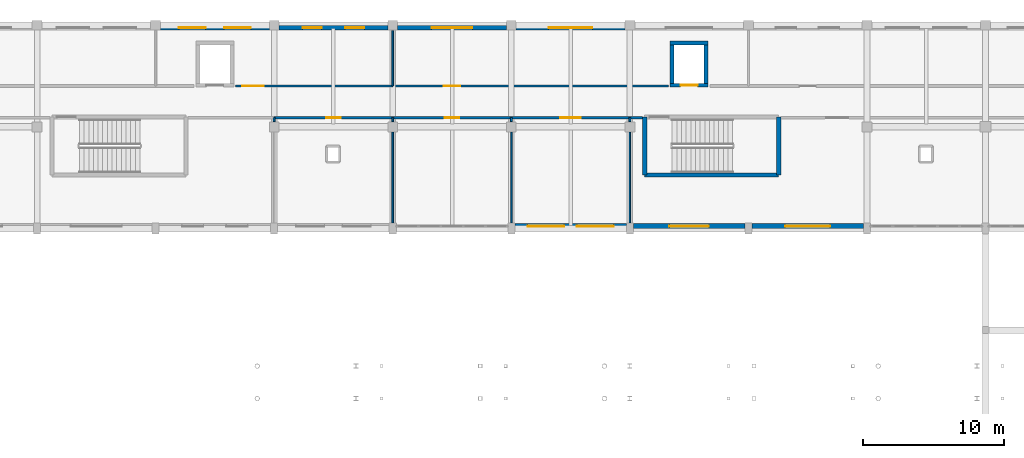
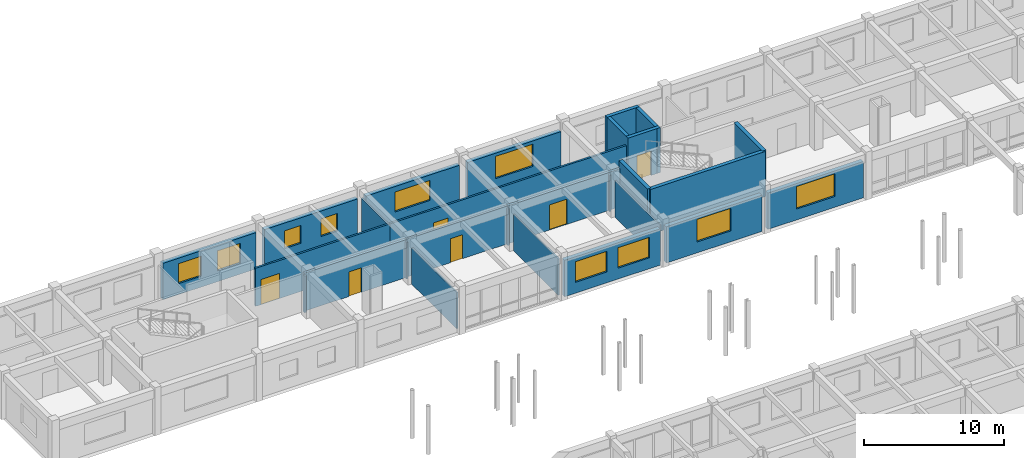
# One storey, part 75 of 90: 28 walls, 10 windows, 6 doors, 16 openings.
"""IFC4 building model written with IfcOpenShell, lengths in metres."""

import ifcopenshell
import ifcopenshell.guid

model = None  # the IFC model being written
_history = None  # IfcOwnerHistory: only IFC2X3 demands one
_inside = {}  # id of a spatial element -> (the spatial element, [elements in it])
_under = {}  # id of a project, library or spatial element -> (it, [spatial elements below it])
_declared = {}  # id of a project -> (the project, [libraries it declares])
_typed = {}  # id of a type object -> (the type object, [elements of that type])
_made_of = {}  # id of a material, layer set ... -> (it, [elements and type objects made of it])


def new_model(schema):
    """Start an empty IFC model of exactly this schema.

    Asked for "IFC4X3", IfcOpenShell would pick the latest addendum, in which some entities
    have other attributes; the version numbers below select the first issue.
    IFC2X3 requires an IfcOwnerHistory on every rooted entity: one is made here for all.
    """
    global model, _history
    if schema == "IFC4X3":
        model = ifcopenshell.file(schema_version=(4, 3, 0, 0))
    else:
        model = ifcopenshell.file(schema=schema)
    _inside.clear()
    _under.clear()
    _declared.clear()
    _typed.clear()
    _made_of.clear()
    _history = None
    if model.schema == "IFC2X3":
        org = make("IfcOrganization", Name="unknown")
        user = make(
            "IfcPersonAndOrganization",
            ThePerson=make("IfcPerson", FamilyName="unknown"),
            TheOrganization=org,
        )
        app = make(
            "IfcApplication",
            ApplicationDeveloper=org,
            Version="unknown",
            ApplicationFullName="unknown",
            ApplicationIdentifier="unknown",
        )
        _history = make(
            "IfcOwnerHistory",
            OwningUser=user,
            OwningApplication=app,
            ChangeAction="ADDED",
            CreationDate=0,
        )
    return model


def make(cls, **values):
    """One entity of the class cls with the attributes given. An attribute that is None is left unset."""
    return model.create_entity(
        cls, **{name: value for name, value in values.items() if value is not None}
    )


def rooted(cls, **values):
    """An entity with a GlobalId (a new one), such as an element, a storey or a relation."""
    return make(cls, GlobalId=ifcopenshell.guid.new(), OwnerHistory=_history, **values)


def si_unit(unit_type, name, prefix=None):
    """IfcSIUnit, for example si_unit("LENGTHUNIT", "METRE", prefix="MILLI")."""
    return make("IfcSIUnit", UnitType=unit_type, Prefix=prefix, Name=name)


def assignment(units):
    """IfcUnitAssignment: the units of a project."""
    return None if units is None else make("IfcUnitAssignment", Units=units)


def point(xyz):
    """IfcCartesianPoint."""
    return None if xyz is None else make("IfcCartesianPoint", Coordinates=xyz)


def direction(xyz):
    """IfcDirection."""
    return None if xyz is None else make("IfcDirection", DirectionRatios=xyz)


def frame(location, z_axis=None, x_axis=None):
    """IfcAxis2Placement3D, a coordinate frame: its origin and axes. An axis left out is left unset."""
    return make(
        "IfcAxis2Placement3D",
        Location=point(location),
        Axis=direction(z_axis),
        RefDirection=direction(x_axis),
    )


def frame_2d(location, x_axis=None):
    """IfcAxis2Placement2D, a coordinate frame in the plane: its origin and x axis."""
    return make(
        "IfcAxis2Placement2D", Location=point(location), RefDirection=direction(x_axis)
    )


def origin():
    """The frame at (0, 0, 0) with its axes left unset."""
    return frame((0.0, 0.0, 0.0))


def place(relative_to, where):
    """IfcLocalPlacement: puts the frame where relative to a parent placement (None: the world)."""
    return make(
        "IfcLocalPlacement", PlacementRelTo=relative_to, RelativePlacement=where
    )


def context(
    kind, dimensions, precision=None, world=None, true_north=None, identifier=None
):
    """IfcGeometricRepresentationContext, for example the 3D "Model" context."""
    return make(
        "IfcGeometricRepresentationContext",
        ContextIdentifier=identifier,
        ContextType=kind,
        CoordinateSpaceDimension=dimensions,
        Precision=precision,
        WorldCoordinateSystem=world,
        TrueNorth=true_north,
    )


def subcontext(parent, identifier, kind, view, scale=None):
    """IfcGeometricRepresentationSubContext, for example "Body" below "Model"."""
    return make(
        "IfcGeometricRepresentationSubContext",
        ContextIdentifier=identifier,
        ContextType=kind,
        ParentContext=parent,
        TargetScale=scale,
        TargetView=view,
    )


def project(units=None, contexts=None):
    """IfcProject with its units and contexts."""
    return rooted(
        "IfcProject",
        Name="project",
        RepresentationContexts=contexts,
        UnitsInContext=assignment(units),
    )


def spatial(cls, under=None, at=None, **own):
    """A site, building, storey or space (cls), placed at a placement, below another one or the project."""
    s = rooted(cls, ObjectPlacement=at, **own)
    if under is not None:
        _under.setdefault(under.id(), (under, []))[1].append(s)
    return s


def profile(cls, at=None, kind="AREA", **sizes):
    """A parametric profile (cls). Its sizes go by their IFC names, for example OverallWidth=200.0."""
    return make(cls, ProfileType=kind, Position=at, **sizes)


def rectangle(**sizes):
    """IfcRectangleProfileDef."""
    return profile("IfcRectangleProfileDef", **sizes)


def extrude(swept, where, along, depth):
    """IfcExtrudedAreaSolid: the profile swept, set in the frame where, extruded along a direction by depth."""
    return make(
        "IfcExtrudedAreaSolid",
        SweptArea=swept,
        Position=where,
        ExtrudedDirection=direction(along),
        Depth=depth,
    )


def shape(context_of_items, identifier, shape_type, items):
    """IfcShapeRepresentation: the items that make up one representation, for example the "Body"."""
    return make(
        "IfcShapeRepresentation",
        ContextOfItems=context_of_items,
        RepresentationIdentifier=identifier,
        RepresentationType=shape_type,
        Items=items,
    )


def material(Name=None, Category=None):
    """IfcMaterial."""
    return make("IfcMaterial", Name=Name, Category=Category)


def layer(
    of_material, thickness, ventilated=None, Name=None, Category=None, Priority=None
):
    """IfcMaterialLayer: one layer of a wall or slab, of a material (None: an air gap)."""
    return make(
        "IfcMaterialLayer",
        Material=of_material,
        LayerThickness=thickness,
        IsVentilated=ventilated,
        Name=Name,
        Category=Category,
        Priority=Priority,
    )


def layer_set(layers, Name=None):
    """IfcMaterialLayerSet."""
    return make("IfcMaterialLayerSet", MaterialLayers=layers, LayerSetName=Name)


def made_of(thing, what):
    """Note that an element or type object is made of a material, layer set ...; save() writes the relation."""
    if what is not None:
        _made_of.setdefault(what.id(), (what, []))[1].append(thing)
    return thing


def type_object(cls, material=None, **own):
    """A type object (cls), such as IfcWallType, which elements share."""
    return made_of(rooted(cls, **own), material)


def element(
    cls,
    number,
    at=None,
    inside=None,
    cuts=None,
    type_object=None,
    material=None,
    context=None,
    identifier="Body",
    shape_type=None,
    held_by="IfcProductDefinitionShape",
    body=None,
    shapes=None,
    **own,
):
    """One element of the class cls, such as IfcWall. Its Tag is "e" and its number.

    at: its placement. inside: the storey or other place that contains it. cuts: it is an
    opening in that element (IfcRelVoidsElement). A single representation is given by context,
    identifier, shape_type and body (its items); several are given by shapes. held_by: the class
    of the entity that holds the representations. save() writes the other relations.
    """
    e = rooted(cls, Tag="e%d" % number, ObjectPlacement=at, **own)
    if body is not None:
        shapes = [shape(context, identifier, shape_type, body)]
    if shapes is not None:
        e.Representation = make(held_by, Representations=shapes)
    if inside is not None:
        _inside.setdefault(inside.id(), (inside, []))[1].append(e)
    if cuts is not None:
        rooted(
            "IfcRelVoidsElement", RelatingBuildingElement=cuts, RelatedOpeningElement=e
        )
    if type_object is not None:
        _typed.setdefault(type_object.id(), (type_object, []))[1].append(e)
    return made_of(e, material)


def fill(opening, filler):
    """IfcRelFillsElement: the door or window that sits in an opening."""
    return rooted(
        "IfcRelFillsElement",
        RelatingOpeningElement=opening,
        RelatedBuildingElement=filler,
    )


def aggregate(whole, parts):
    """IfcRelAggregates: a whole, such as a stair, and the parts it consists of."""
    return rooted("IfcRelAggregates", RelatingObject=whole, RelatedObjects=parts)


def save(model, path):
    """Write the relations noted so far, then the file.

    IfcRelAggregates (storeys below a building ...), IfcRelContainedInSpatialStructure (elements
    in a storey), IfcRelDefinesByType, IfcRelAssociatesMaterial and IfcRelDeclares: one each for
    every whole, place, type object, material and project.
    """
    for whole, parts in _under.values():
        aggregate(whole, parts)
    for where, things in _inside.values():
        rooted(
            "IfcRelContainedInSpatialStructure",
            RelatedElements=things,
            RelatingStructure=where,
        )
    for kind, things in _typed.values():
        rooted("IfcRelDefinesByType", RelatedObjects=things, RelatingType=kind)
    for what, things in _made_of.values():
        rooted("IfcRelAssociatesMaterial", RelatedObjects=things, RelatingMaterial=what)
    for by, libraries in _declared.values():
        rooted("IfcRelDeclares", RelatingContext=by, RelatedDefinitions=libraries)
    model.write(path)


model = new_model("IFC4")

# Units and contexts
model_context = context("Model", 3, precision=1e-05, world=origin(), true_north=direction((0.0, 1.0)))
body_context = subcontext(model_context, "Body", "Model", "MODEL_VIEW")
ifc_project = project(units=[si_unit("LENGTHUNIT", "METRE"), si_unit("AREAUNIT", "SQUARE_METRE"), si_unit("VOLUMEUNIT", "CUBIC_METRE"), si_unit("PLANEANGLEUNIT", "RADIAN"), si_unit("MASSUNIT", "GRAM", prefix="KILO")], contexts=[model_context])

# Site, building, storey
site_placement = place(None, origin())
site = spatial("IfcSite", under=ifc_project, at=site_placement, CompositionType="ELEMENT")
building_placement = place(site_placement, origin())
building = spatial("IfcBuilding", under=site, at=building_placement, Name="Malvenik Polytechnic", CompositionType="ELEMENT")
storey_placement = place(building_placement, frame((0.0, 0.0, 9.300048828125)))
storey = spatial("IfcBuildingStorey", under=building, at=storey_placement, Name="L02", CompositionType="ELEMENT", Elevation=9.300048828125)

# Wall, opening, door
ifc_material_1 = material(Name="Concrete C35/45", Category="concrete")
ifc_layer_1 = layer(ifc_material_1, 0.280029296875)
ifc_layer_set_1 = layer_set([ifc_layer_1], Name="Concrete C35/45")
wall_type_1 = type_object("IfcWallType", Name="ARC-CW-S280", PredefinedType="SHEAR", material=ifc_layer_set_1)
wall_1_placement = place(storey_placement, frame((55.93994140625, 125.35009765625, 0.0), z_axis=(0.0, 0.0, 1.0), x_axis=(-1.0, 0.0, 0.0)))
wall_1 = element("IfcWall", 1, at=wall_1_placement, inside=storey, type_object=wall_type_1, Name="Lift Shaft Shear Wall LS-02 L02 -Y", PredefinedType="SHEAR", context=body_context, shape_type="SweptSolid", body=[
    extrude(rectangle(XDim=2.679931640625, YDim=0.280029296875, at=frame_2d((1.33984375, 0.0))), origin(), (0.0, 0.0, 1.0), 3.93994140625),
])
opening_1_placement = place(wall_1_placement, frame((0.739990234375, 0.0, 0.0)))
opening_1 = element("IfcOpeningElement", 2, at=opening_1_placement, cuts=wall_1, Name="Opening LD-02", PredefinedType="OPENING", context=body_context, shape_type="SweptSolid", body=[
    extrude(rectangle(XDim=1.199951171875, YDim=2.14990234375, at=frame_2d((0.60009765625, 1.074951171875))), frame((0.0, 0.14990234375, 0.0), z_axis=(0.0, -1.0, 0.0), x_axis=(1.0, 0.0, 0.0)), (0.0, 0.0, 1.0), 0.300048828125),
])
ifc_material_2 = material(Name="Stainless steel fire-rated sliding lift landing door", Category="steel")
door_type_1 = type_object("IfcDoorType", Name="ARC-LDR-LD-02", OperationType="NOTDEFINED", PredefinedType="DOOR", material=ifc_material_2)
door_1_placement = place(opening_1_placement, origin())
door_1 = element("IfcDoor", 3, at=door_1_placement, inside=storey, type_object=door_type_1, Name="Lift Sliding Landing Door LS-02 L02", OperationType="DOUBLE_DOOR_SLIDING", OverallHeight=2.14990234375, OverallWidth=1.199951171875, PredefinedType="DOOR", context=body_context, shape_type="SweptSolid", body=[
    extrude(rectangle(XDim=1.199951171875, YDim=2.14990234375, at=frame_2d((0.60009765625, 1.074951171875))), frame((0.0, 0.02490234375, 0.0), z_axis=(0.0, -1.0, 0.0), x_axis=(1.0, 0.0, 0.0)), (0.0, 0.0, 1.0), 0.050048828125),
])
fill(opening_1, door_1)

# Walls
wall_2_placement = place(storey_placement, frame((53.260009765625, 128.35009765625, 0.0), z_axis=(0.0, 0.0, 1.0), x_axis=(1.0, 0.0, 0.0)))
element("IfcWall", 4, at=wall_2_placement, inside=storey, type_object=wall_type_1, Name="Lift Shaft Shear Wall LS-02 L02 +Y", PredefinedType="SHEAR", context=body_context, shape_type="SweptSolid", body=[
    extrude(rectangle(XDim=2.679931640625, YDim=0.280029296875, at=frame_2d((1.33984375, 0.0))), origin(), (0.0, 0.0, 1.0), 3.93994140625),
])
for number, where, z_axis, x_axis, name in (
    (5, (53.39990234375, 125.2099609375, 0.0), (0.0, 0.0, 1.0), (0.0, 1.0, 0.0), "Lift Shaft Shear Wall LS-02 L02 -X"),
    (6, (55.800048828125, 128.489990234375, 0.0), (0.0, 0.0, 1.0), (0.0, -1.0, 0.0), "Lift Shaft Shear Wall LS-02 L02 +X"),
):
    element("IfcWall", number, at=place(storey_placement, frame(where, z_axis=z_axis, x_axis=x_axis)), inside=storey, type_object=wall_type_1, Name=name, PredefinedType="SHEAR", context=body_context, shape_type="SweptSolid", body=[
        extrude(rectangle(XDim=3.280029296875, YDim=0.280029296875, at=frame_2d((1.64013671875, 0.0))), origin(), (0.0, 0.0, 1.0), 3.93994140625),
    ])
ifc_layer_2 = layer(ifc_material_1, 0.300048828125)
ifc_layer_set_2 = layer_set([ifc_layer_2], Name="Concrete C35/45")
wall_type_2 = type_object("IfcWallType", Name="ARC-CW-S300", PredefinedType="SHEAR", material=ifc_layer_set_2)
for number, where, z_axis, x_axis, name in (
    (7, (51.449951171875, 119.0, 0.0), (0.0, 0.0, 1.0), (0.0, 1.0, 0.0), "Stair Core Shear Wall ST-02 L02 NEAR"),
    (8, (60.949951171875, 123.10009765625, 0.0), (0.0, 0.0, 1.0), (0.0, -1.0, 0.0), "Stair Core Shear Wall ST-02 L02 FAR"),
):
    element("IfcWall", number, at=place(storey_placement, frame(where, z_axis=z_axis, x_axis=x_axis)), inside=storey, type_object=wall_type_2, Name=name, PredefinedType="SHEAR", context=body_context, shape_type="SweptSolid", body=[
        extrude(rectangle(XDim=4.10009765625, YDim=0.300048828125, at=frame_2d((2.050048828125, 0.0))), origin(), (0.0, 0.0, 1.0), 3.93994140625),
    ])
wall_3_placement = place(storey_placement, frame((60.949951171875, 119.0, 0.0), z_axis=(0.0, 0.0, 1.0), x_axis=(-1.0, 0.0, 0.0)))
element("IfcWall", 9, at=wall_3_placement, inside=storey, type_object=wall_type_2, Name="Stair Core Shear Wall ST-02 L02 LEFT", PredefinedType="SHEAR", context=body_context, shape_type="SweptSolid", body=[
    extrude(rectangle(XDim=9.5, YDim=0.300048828125, at=frame_2d((4.75, 0.0))), origin(), (0.0, 0.0, 1.0), 3.93994140625),
])

# Wall, opening, window
ifc_material_3 = material(Name="Concrete C30/37", Category="concrete")
ifc_layer_3 = layer(ifc_material_3, 0.340087890625)
ifc_layer_set_3 = layer_set([ifc_layer_3], Name="Concrete C30/37")
wall_type_3 = type_object("IfcWallType", Name="ARC-EW-340", PredefinedType="SOLIDWALL", material=ifc_layer_set_3)
wall_4_placement = place(storey_placement, frame((66.951904296875, 115.3701171875, 0.0), z_axis=(0.0, 0.0, 1.0), x_axis=(-1.0, 0.0, 0.0)))
wall_4 = element("IfcWall", 10, at=wall_4_placement, inside=storey, type_object=wall_type_3, Name="External Facade Wall EW-02 L02 #327", PredefinedType="SOLIDWALL", context=body_context, shape_type="SweptSolid", body=[
    extrude(rectangle(XDim=7.90380859375, YDim=0.340087890625, at=frame_2d((3.951904296875, 0.0))), origin(), (0.0, 0.0, 1.0), 3.179931640625),
])
opening_2_placement = place(wall_4_placement, frame((2.35205078125, 0.0, 0.949951171875)))
opening_2 = element("IfcOpeningElement", 11, at=opening_2_placement, cuts=wall_4, Name="Opening W-09", PredefinedType="OPENING", context=body_context, shape_type="SweptSolid", body=[
    extrude(rectangle(XDim=3.199951171875, YDim=1.97998046875, at=frame_2d((1.60009765625, 0.989990234375))), frame((0.0, 0.18017578125, 0.0), z_axis=(0.0, -1.0, 0.0), x_axis=(1.0, 0.0, 0.0)), (0.0, 0.0, 1.0), 0.360107421875),
])
ifc_material_4 = material(Name="Thermally broken aluminium frame with low-E double glazing", Category="aluminium")
window_type_1 = type_object("IfcWindowType", Name="ARC-WIN-W-09", PartitioningType="SINGLE_PANEL", PredefinedType="WINDOW", material=ifc_material_4)
window_1_placement = place(opening_2_placement, origin())
window_1 = element("IfcWindow", 12, at=window_1_placement, inside=storey, type_object=window_type_1, Name="Punched Window W-09 L02 #313", OverallHeight=1.97998046875, OverallWidth=3.199951171875, PartitioningType="SINGLE_PANEL", PredefinedType="WINDOW", context=body_context, shape_type="SweptSolid", body=[
    extrude(rectangle(XDim=3.199951171875, YDim=1.97998046875, at=frame_2d((1.60009765625, 0.989990234375))), frame((0.0, 0.030029296875, 0.0), z_axis=(0.0, -1.0, 0.0), x_axis=(1.0, 0.0, 0.0)), (0.0, 0.0, 1.0), 0.06005859375),
])
fill(opening_2, window_1)

wall_5_placement = place(storey_placement, frame((58.552001953125, 115.3701171875, 0.0), z_axis=(0.0, 0.0, 1.0), x_axis=(-1.0, 0.0, 0.0)))
wall_5 = element("IfcWall", 13, at=wall_5_placement, inside=storey, type_object=wall_type_3, Name="External Facade Wall EW-02 L02 #328", PredefinedType="SOLIDWALL", context=body_context, shape_type="SweptSolid", body=[
    extrude(rectangle(XDim=7.904052734375, YDim=0.340087890625, at=frame_2d((3.9521484375, 0.0))), origin(), (0.0, 0.0, 1.0), 3.179931640625),
])
opening_3_placement = place(wall_5_placement, frame((2.552001953125, 0.0, 0.949951171875)))
opening_3 = element("IfcOpeningElement", 14, at=opening_3_placement, cuts=wall_5, Name="Opening W-10", PredefinedType="OPENING", context=body_context, shape_type="SweptSolid", body=[
    extrude(rectangle(XDim=2.800048828125, YDim=1.97998046875, at=frame_2d((1.39990234375, 0.989990234375))), frame((0.0, 0.18017578125, 0.0), z_axis=(0.0, -1.0, 0.0), x_axis=(1.0, 0.0, 0.0)), (0.0, 0.0, 1.0), 0.360107421875),
])
window_type_2 = type_object("IfcWindowType", Name="ARC-WIN-W-10", PartitioningType="SINGLE_PANEL", PredefinedType="WINDOW", material=ifc_material_4)
window_2_placement = place(opening_3_placement, origin())
window_2 = element("IfcWindow", 15, at=window_2_placement, inside=storey, type_object=window_type_2, Name="Punched Window W-10 L02 #314", OverallHeight=1.97998046875, OverallWidth=2.800048828125, PartitioningType="SINGLE_PANEL", PredefinedType="WINDOW", context=body_context, shape_type="SweptSolid", body=[
    extrude(rectangle(XDim=2.800048828125, YDim=1.97998046875, at=frame_2d((1.39990234375, 0.989990234375))), frame((0.0, 0.030029296875, 0.0), z_axis=(0.0, -1.0, 0.0), x_axis=(1.0, 0.0, 0.0)), (0.0, 0.0, 1.0), 0.06005859375),
])
fill(opening_3, window_2)

# Wall, openings, windows
wall_6_placement = place(storey_placement, frame((50.152099609375, 115.3701171875, 0.0), z_axis=(0.0, 0.0, 1.0), x_axis=(-1.0, 0.0, 0.0)))
wall_6 = element("IfcWall", 16, at=wall_6_placement, inside=storey, type_object=wall_type_3, Name="External Facade Wall EW-02 L02 #329", PredefinedType="SOLIDWALL", context=body_context, shape_type="SweptSolid", body=[
    extrude(rectangle(XDim=7.904052734375, YDim=0.340087890625, at=frame_2d((3.9521484375, 0.0))), origin(), (0.0, 0.0, 1.0), 3.179931640625),
])
opening_4_placement = place(wall_6_placement, frame((0.9013671875, 0.0, 0.949951171875)))
opening_4 = element("IfcOpeningElement", 17, at=opening_4_placement, cuts=wall_6, Name="Opening W-11", PredefinedType="OPENING", context=body_context, shape_type="SweptSolid", body=[
    extrude(rectangle(XDim=2.60009765625, YDim=1.800048828125, at=frame_2d((1.300048828125, 0.89990234375))), frame((0.0, 0.18017578125, 0.0), z_axis=(0.0, -1.0, 0.0), x_axis=(1.0, 0.0, 0.0)), (0.0, 0.0, 1.0), 0.360107421875),
])
opening_5_placement = place(wall_6_placement, frame((4.402587890625, 0.0, 0.949951171875)))
opening_5 = element("IfcOpeningElement", 18, at=opening_5_placement, cuts=wall_6, Name="Opening W-11", PredefinedType="OPENING", context=body_context, shape_type="SweptSolid", body=[
    extrude(rectangle(XDim=2.60009765625, YDim=1.800048828125, at=frame_2d((1.300048828125, 0.89990234375))), frame((0.0, 0.18017578125, 0.0), z_axis=(0.0, -1.0, 0.0), x_axis=(1.0, 0.0, 0.0)), (0.0, 0.0, 1.0), 0.360107421875),
])
window_type_3 = type_object("IfcWindowType", Name="ARC-WIN-W-11", PartitioningType="SINGLE_PANEL", PredefinedType="WINDOW", material=ifc_material_4)
window_3_placement = place(opening_4_placement, origin())
window_3 = element("IfcWindow", 19, at=window_3_placement, inside=storey, type_object=window_type_3, Name="Punched Window W-11 L02 #315", OverallHeight=1.800048828125, OverallWidth=2.60009765625, PartitioningType="SINGLE_PANEL", PredefinedType="WINDOW", context=body_context, shape_type="SweptSolid", body=[
    extrude(rectangle(XDim=2.60009765625, YDim=1.800048828125, at=frame_2d((1.300048828125, 0.89990234375))), frame((0.0, 0.030029296875, 0.0), z_axis=(0.0, -1.0, 0.0), x_axis=(1.0, 0.0, 0.0)), (0.0, 0.0, 1.0), 0.06005859375),
])
fill(opening_4, window_3)
window_4_placement = place(opening_5_placement, origin())
window_4 = element("IfcWindow", 20, at=window_4_placement, inside=storey, type_object=window_type_3, Name="Punched Window W-11 L02 #316", OverallHeight=1.800048828125, OverallWidth=2.60009765625, PartitioningType="SINGLE_PANEL", PredefinedType="WINDOW", context=body_context, shape_type="SweptSolid", body=[
    extrude(rectangle(XDim=2.60009765625, YDim=1.800048828125, at=frame_2d((1.300048828125, 0.89990234375))), frame((0.0, 0.030029296875, 0.0), z_axis=(0.0, -1.0, 0.0), x_axis=(1.0, 0.0, 0.0)), (0.0, 0.0, 1.0), 0.06005859375),
])
fill(opening_5, window_4)

wall_7_placement = place(storey_placement, frame((17.14794921875, 129.429931640625, 0.0), z_axis=(0.0, 0.0, 1.0), x_axis=(1.0, 0.0, 0.0)))
wall_7 = element("IfcWall", 21, at=wall_7_placement, inside=storey, type_object=wall_type_3, Name="External Facade Wall EW-02 L02 #338", PredefinedType="SOLIDWALL", context=body_context, shape_type="SweptSolid", body=[
    extrude(rectangle(XDim=7.7041015625, YDim=0.340087890625, at=frame_2d((3.85205078125, 0.0))), origin(), (0.0, 0.0, 1.0), 3.179931640625),
])
opening_6_placement = place(wall_7_placement, frame((1.30126953125, 0.0, 0.949951171875)))
opening_6 = element("IfcOpeningElement", 22, at=opening_6_placement, cuts=wall_7, Name="Opening W-24", PredefinedType="OPENING", context=body_context, shape_type="SweptSolid", body=[
    extrude(rectangle(XDim=1.89990234375, YDim=1.75, at=frame_2d((0.949951171875, 0.875))), frame((0.0, 0.18017578125, 0.0), z_axis=(0.0, -1.0, 0.0), x_axis=(1.0, 0.0, 0.0)), (0.0, 0.0, 1.0), 0.360107421875),
])
opening_7_placement = place(wall_7_placement, frame((4.502685546875, 0.0, 0.949951171875)))
opening_7 = element("IfcOpeningElement", 23, at=opening_7_placement, cuts=wall_7, Name="Opening W-24", PredefinedType="OPENING", context=body_context, shape_type="SweptSolid", body=[
    extrude(rectangle(XDim=1.89990234375, YDim=1.75, at=frame_2d((0.949951171875, 0.875))), frame((0.0, 0.18017578125, 0.0), z_axis=(0.0, -1.0, 0.0), x_axis=(1.0, 0.0, 0.0)), (0.0, 0.0, 1.0), 0.360107421875),
])
window_type_4 = type_object("IfcWindowType", Name="ARC-WIN-W-24", PartitioningType="SINGLE_PANEL", PredefinedType="WINDOW", material=ifc_material_4)
window_5_placement = place(opening_6_placement, origin())
window_5 = element("IfcWindow", 24, at=window_5_placement, inside=storey, type_object=window_type_4, Name="Punched Window W-24 L02 #328", OverallHeight=1.75, OverallWidth=1.89990234375, PartitioningType="SINGLE_PANEL", PredefinedType="WINDOW", context=body_context, shape_type="SweptSolid", body=[
    extrude(rectangle(XDim=1.89990234375, YDim=1.75, at=frame_2d((0.949951171875, 0.875))), frame((0.0, 0.030029296875, 0.0), z_axis=(0.0, -1.0, 0.0), x_axis=(1.0, 0.0, 0.0)), (0.0, 0.0, 1.0), 0.06005859375),
])
fill(opening_6, window_5)
window_6_placement = place(opening_7_placement, origin())
window_6 = element("IfcWindow", 25, at=window_6_placement, inside=storey, type_object=window_type_4, Name="Punched Window W-24 L02 #329", OverallHeight=1.75, OverallWidth=1.89990234375, PartitioningType="SINGLE_PANEL", PredefinedType="WINDOW", context=body_context, shape_type="SweptSolid", body=[
    extrude(rectangle(XDim=1.89990234375, YDim=1.75, at=frame_2d((0.949951171875, 0.875))), frame((0.0, 0.030029296875, 0.0), z_axis=(0.0, -1.0, 0.0), x_axis=(1.0, 0.0, 0.0)), (0.0, 0.0, 1.0), 0.06005859375),
])
fill(opening_7, window_6)

wall_8_placement = place(storey_placement, frame((25.548095703125, 129.429931640625, 0.0), z_axis=(0.0, 0.0, 1.0), x_axis=(1.0, 0.0, 0.0)))
wall_8 = element("IfcWall", 26, at=wall_8_placement, inside=storey, type_object=wall_type_3, Name="External Facade Wall EW-02 L02 #339", PredefinedType="SOLIDWALL", context=body_context, shape_type="SweptSolid", body=[
    extrude(rectangle(XDim=7.703857421875, YDim=0.340087890625, at=frame_2d((3.85205078125, 0.0))), origin(), (0.0, 0.0, 1.0), 3.179931640625),
])
opening_8_placement = place(wall_8_placement, frame((1.66796875, 0.0, 0.949951171875)))
opening_8 = element("IfcOpeningElement", 27, at=opening_8_placement, cuts=wall_8, Name="Opening W-26", PredefinedType="OPENING", context=body_context, shape_type="SweptSolid", body=[
    extrude(rectangle(XDim=1.35009765625, YDim=1.550048828125, at=frame_2d((0.675048828125, 0.77490234375))), frame((0.0, 0.18017578125, 0.0), z_axis=(0.0, -1.0, 0.0), x_axis=(1.0, 0.0, 0.0)), (0.0, 0.0, 1.0), 0.360107421875),
])
opening_9_placement = place(wall_8_placement, frame((4.68603515625, 0.0, 0.949951171875)))
opening_9 = element("IfcOpeningElement", 28, at=opening_9_placement, cuts=wall_8, Name="Opening W-26", PredefinedType="OPENING", context=body_context, shape_type="SweptSolid", body=[
    extrude(rectangle(XDim=1.35009765625, YDim=1.550048828125, at=frame_2d((0.675048828125, 0.77490234375))), frame((0.0, 0.18017578125, 0.0), z_axis=(0.0, -1.0, 0.0), x_axis=(1.0, 0.0, 0.0)), (0.0, 0.0, 1.0), 0.360107421875),
])
window_type_5 = type_object("IfcWindowType", Name="ARC-WIN-W-26", PartitioningType="SINGLE_PANEL", PredefinedType="WINDOW", material=ifc_material_4)
window_7_placement = place(opening_8_placement, origin())
window_7 = element("IfcWindow", 29, at=window_7_placement, inside=storey, type_object=window_type_5, Name="Punched Window W-26 L02 #330", OverallHeight=1.550048828125, OverallWidth=1.35009765625, PartitioningType="SINGLE_PANEL", PredefinedType="WINDOW", context=body_context, shape_type="SweptSolid", body=[
    extrude(rectangle(XDim=1.35009765625, YDim=1.550048828125, at=frame_2d((0.675048828125, 0.77490234375))), frame((0.0, 0.030029296875, 0.0), z_axis=(0.0, -1.0, 0.0), x_axis=(1.0, 0.0, 0.0)), (0.0, 0.0, 1.0), 0.06005859375),
])
fill(opening_8, window_7)
window_8_placement = place(opening_9_placement, origin())
window_8 = element("IfcWindow", 30, at=window_8_placement, inside=storey, type_object=window_type_5, Name="Punched Window W-26 L02 #331", OverallHeight=1.550048828125, OverallWidth=1.35009765625, PartitioningType="SINGLE_PANEL", PredefinedType="WINDOW", context=body_context, shape_type="SweptSolid", body=[
    extrude(rectangle(XDim=1.35009765625, YDim=1.550048828125, at=frame_2d((0.675048828125, 0.77490234375))), frame((0.0, 0.030029296875, 0.0), z_axis=(0.0, -1.0, 0.0), x_axis=(1.0, 0.0, 0.0)), (0.0, 0.0, 1.0), 0.06005859375),
])
fill(opening_9, window_8)

# Wall, opening, window
wall_9_placement = place(storey_placement, frame((33.947998046875, 129.429931640625, 0.0), z_axis=(0.0, 0.0, 1.0), x_axis=(1.0, 0.0, 0.0)))
wall_9 = element("IfcWall", 31, at=wall_9_placement, inside=storey, type_object=wall_type_3, Name="External Facade Wall EW-02 L02 #340", PredefinedType="SOLIDWALL", context=body_context, shape_type="SweptSolid", body=[
    extrude(rectangle(XDim=7.7041015625, YDim=0.340087890625, at=frame_2d((3.85205078125, 0.0))), origin(), (0.0, 0.0, 1.0), 3.179931640625),
])
opening_10_placement = place(wall_9_placement, frame((2.402099609375, 0.0, 0.949951171875)))
opening_10 = element("IfcOpeningElement", 32, at=opening_10_placement, cuts=wall_9, Name="Opening W-28", PredefinedType="OPENING", context=body_context, shape_type="SweptSolid", body=[
    extrude(rectangle(XDim=2.89990234375, YDim=1.75, at=frame_2d((1.449951171875, 0.875))), frame((0.0, 0.18017578125, 0.0), z_axis=(0.0, -1.0, 0.0), x_axis=(1.0, 0.0, 0.0)), (0.0, 0.0, 1.0), 0.360107421875),
])
window_type_6 = type_object("IfcWindowType", Name="ARC-WIN-W-28", PartitioningType="SINGLE_PANEL", PredefinedType="WINDOW", material=ifc_material_4)
window_9_placement = place(opening_10_placement, origin())
window_9 = element("IfcWindow", 33, at=window_9_placement, inside=storey, type_object=window_type_6, Name="Punched Window W-28 L02 #332", OverallHeight=1.75, OverallWidth=2.89990234375, PartitioningType="SINGLE_PANEL", PredefinedType="WINDOW", context=body_context, shape_type="SweptSolid", body=[
    extrude(rectangle(XDim=2.89990234375, YDim=1.75, at=frame_2d((1.449951171875, 0.875))), frame((0.0, 0.030029296875, 0.0), z_axis=(0.0, -1.0, 0.0), x_axis=(1.0, 0.0, 0.0)), (0.0, 0.0, 1.0), 0.06005859375),
])
fill(opening_10, window_9)

wall_10_placement = place(storey_placement, frame((42.347900390625, 129.429931640625, 0.0), z_axis=(0.0, 0.0, 1.0), x_axis=(1.0, 0.0, 0.0)))
wall_10 = element("IfcWall", 34, at=wall_10_placement, inside=storey, type_object=wall_type_3, Name="External Facade Wall EW-02 L02 #341", PredefinedType="SOLIDWALL", context=body_context, shape_type="SweptSolid", body=[
    extrude(rectangle(XDim=7.7041015625, YDim=0.340087890625, at=frame_2d((3.85205078125, 0.0))), origin(), (0.0, 0.0, 1.0), 3.179931640625),
])
opening_11_placement = place(wall_10_placement, frame((2.302001953125, 0.0, 0.949951171875)))
opening_11 = element("IfcOpeningElement", 35, at=opening_11_placement, cuts=wall_10, Name="Opening W-29", PredefinedType="OPENING", context=body_context, shape_type="SweptSolid", body=[
    extrude(rectangle(XDim=3.10009765625, YDim=1.949951171875, at=frame_2d((1.550048828125, 0.97509765625))), frame((0.0, 0.18017578125, 0.0), z_axis=(0.0, -1.0, 0.0), x_axis=(1.0, 0.0, 0.0)), (0.0, 0.0, 1.0), 0.360107421875),
])
window_type_7 = type_object("IfcWindowType", Name="ARC-WIN-W-29", PartitioningType="SINGLE_PANEL", PredefinedType="WINDOW", material=ifc_material_4)
window_10_placement = place(opening_11_placement, origin())
window_10 = element("IfcWindow", 36, at=window_10_placement, inside=storey, type_object=window_type_7, Name="Punched Window W-29 L02 #333", OverallHeight=1.949951171875, OverallWidth=3.10009765625, PartitioningType="SINGLE_PANEL", PredefinedType="WINDOW", context=body_context, shape_type="SweptSolid", body=[
    extrude(rectangle(XDim=3.10009765625, YDim=1.949951171875, at=frame_2d((1.550048828125, 0.97509765625))), frame((0.0, 0.030029296875, 0.0), z_axis=(0.0, -1.0, 0.0), x_axis=(1.0, 0.0, 0.0)), (0.0, 0.0, 1.0), 0.06005859375),
])
fill(opening_11, window_10)

# Wall, opening, door
ifc_material_5 = material(Name="Calcium silicate fire-rated blockwork 200mm", Category="masonry")
ifc_layer_4 = layer(ifc_material_5, 0.199951171875)
ifc_layer_set_4 = layer_set([ifc_layer_4], Name="Calcium silicate fire-rated blockwork 200mm")
wall_type_4 = type_object("IfcWallType", Name="ARC-FW-200", PredefinedType="SOLIDWALL", material=ifc_layer_set_4)
wall_11_placement = place(storey_placement, frame((33.60009765625, 123.050048828125, 0.0), z_axis=(0.0, 0.0, 1.0), x_axis=(-1.0, 0.0, 0.0)))
wall_11 = element("IfcWall", 37, at=wall_11_placement, inside=storey, type_object=wall_type_4, Name="Interior Partition FW-02 L02 #250", PredefinedType="SOLIDWALL", context=body_context, shape_type="SweptSolid", body=[
    extrude(rectangle(XDim=8.400146484375, YDim=0.199951171875, at=frame_2d((4.2001953125, 0.0))), origin(), (0.0, 0.0, 1.0), 3.324951171875),
])
opening_12_placement = place(wall_11_placement, frame((3.675048828125, 0.0, 0.0)))
opening_12 = element("IfcOpeningElement", 38, at=opening_12_placement, cuts=wall_11, Name="Opening FD-05", PredefinedType="OPENING", context=body_context, shape_type="SweptSolid", body=[
    extrude(rectangle(XDim=1.050048828125, YDim=2.14990234375, at=frame_2d((0.52490234375, 1.074951171875))), frame((0.0, 0.10986328125, 0.0), z_axis=(0.0, -1.0, 0.0), x_axis=(1.0, 0.0, 0.0)), (0.0, 0.0, 1.0), 0.219970703125),
])
ifc_material_6 = material(Name="Fire-rated archive room door", Category="steel")
door_type_2 = type_object("IfcDoorType", Name="ARC-IDR-FD-05", OperationType="NOTDEFINED", PredefinedType="DOOR", material=ifc_material_6)
door_2_placement = place(opening_12_placement, origin())
door_2 = element("IfcDoor", 39, at=door_2_placement, inside=storey, type_object=door_type_2, Name="Interior Door FD-05 L02 #107", OperationType="SINGLE_SWING_RIGHT", OverallHeight=2.14990234375, OverallWidth=1.050048828125, PredefinedType="DOOR", context=body_context, shape_type="SweptSolid", body=[
    extrude(rectangle(XDim=1.050048828125, YDim=2.14990234375, at=frame_2d((0.52490234375, 1.074951171875))), frame((0.0, 0.02490234375, 0.0), z_axis=(0.0, -1.0, 0.0), x_axis=(1.0, 0.0, 0.0)), (0.0, 0.0, 1.0), 0.050048828125),
])
fill(opening_12, door_2)

wall_12_placement = place(storey_placement, frame((50.39990234375, 123.050048828125, 0.0), z_axis=(0.0, 0.0, 1.0), x_axis=(-1.0, 0.0, 0.0)))
wall_12 = element("IfcWall", 40, at=wall_12_placement, inside=storey, type_object=wall_type_4, Name="Interior Partition FW-02 L02 #256", PredefinedType="SOLIDWALL", context=body_context, shape_type="SweptSolid", body=[
    extrude(rectangle(XDim=8.39990234375, YDim=0.199951171875, at=frame_2d((4.199951171875, 0.0))), origin(), (0.0, 0.0, 1.0), 3.324951171875),
])
opening_13_placement = place(wall_12_placement, frame((3.47509765625, 0.0, 0.0)))
opening_13 = element("IfcOpeningElement", 41, at=opening_13_placement, cuts=wall_12, Name="Opening FD-08", PredefinedType="OPENING", context=body_context, shape_type="SweptSolid", body=[
    extrude(rectangle(XDim=1.449951171875, YDim=2.199951171875, at=frame_2d((0.72509765625, 1.10009765625))), frame((0.0, 0.10986328125, 0.0), z_axis=(0.0, -1.0, 0.0), x_axis=(1.0, 0.0, 0.0)), (0.0, 0.0, 1.0), 0.219970703125),
])
ifc_material_7 = material(Name="Fire-rated seminar corridor door", Category="steel")
door_type_3 = type_object("IfcDoorType", Name="ARC-IDR-FD-08", OperationType="NOTDEFINED", PredefinedType="DOOR", material=ifc_material_7)
door_3_placement = place(opening_13_placement, origin())
door_3 = element("IfcDoor", 42, at=door_3_placement, inside=storey, type_object=door_type_3, Name="Interior Door FD-08 L02 #109", OperationType="SINGLE_SWING_RIGHT", OverallHeight=2.199951171875, OverallWidth=1.449951171875, PredefinedType="DOOR", context=body_context, shape_type="SweptSolid", body=[
    extrude(rectangle(XDim=1.449951171875, YDim=2.199951171875, at=frame_2d((0.72509765625, 1.10009765625))), frame((0.0, 0.02490234375, 0.0), z_axis=(0.0, -1.0, 0.0), x_axis=(1.0, 0.0, 0.0)), (0.0, 0.0, 1.0), 0.050048828125),
])
fill(opening_13, door_3)

# Walls
wall_13_placement = place(storey_placement, frame((51.31005859375, 123.050048828125, 0.0), z_axis=(0.0, 0.0, 1.0), x_axis=(-1.0, 0.0, 0.0)))
element("IfcWall", 43, at=wall_13_placement, inside=storey, type_object=wall_type_4, Name="Interior Partition FW-02 L02 #260", PredefinedType="SOLIDWALL", context=body_context, shape_type="SweptSolid", body=[
    extrude(rectangle(XDim=0.91015625, YDim=0.199951171875, at=frame_2d((0.455078125, 0.0))), origin(), (0.0, 0.0, 1.0), 3.324951171875),
])
ifc_material_8 = material(Name="Lightweight gypsum partition 110mm", Category="gypsum")
ifc_layer_5 = layer(ifc_material_8, 0.110107421875)
ifc_layer_set_5 = layer_set([ifc_layer_5], Name="Lightweight gypsum partition 110mm")
wall_type_5 = type_object("IfcWallType", Name="ARC-PW-110", PredefinedType="PARTITIONING", material=ifc_layer_set_5)
for number, where, z_axis, x_axis, name in (
    (44, (33.60009765625, 115.594970703125, 0.0), (0.0, 0.0, 1.0), (0.0, 1.0, 0.0), "Interior Partition PW-04I L02 #251"),
    (45, (42.0, 115.594970703125, 0.0), (0.0, 0.0, 1.0), (0.0, 1.0, 0.0), "Interior Partition PW-04I L02 #254"),
    (46, (50.39990234375, 115.594970703125, 0.0), (0.0, 0.0, 1.0), (0.0, 1.0, 0.0), "Interior Partition PW-04I L02 #257"),
):
    element("IfcWall", number, at=place(storey_placement, frame(where, z_axis=z_axis, x_axis=x_axis)), inside=storey, type_object=wall_type_5, Name=name, PredefinedType="PARTITIONING", context=body_context, shape_type="SweptSolid", body=[
        extrude(rectangle(XDim=6.43505859375, YDim=0.110107421875, at=frame_2d((3.217529296875, 0.0))), origin(), (0.0, 0.0, 1.0), 3.175048828125),
    ])
ifc_material_9 = material(Name="Metal-stud gypsum board partition 125mm", Category="gypsum")
ifc_layer_6 = layer(ifc_material_9, 0.125)
ifc_layer_set_6 = layer_set([ifc_layer_6], Name="Metal-stud gypsum board partition 125mm")
wall_type_6 = type_object("IfcWallType", Name="ARC-PW-125", PredefinedType="PARTITIONING", material=ifc_layer_set_6)
wall_14_placement = place(storey_placement, frame((33.60009765625, 125.300048828125, 0.0), z_axis=(0.0, 0.0, 1.0), x_axis=(0.0, 1.0, 0.0)))
element("IfcWall", 47, at=wall_14_placement, inside=storey, type_object=wall_type_6, Name="Interior Partition PW-03I L02 #238", PredefinedType="PARTITIONING", context=body_context, shape_type="SweptSolid", body=[
    extrude(rectangle(XDim=3.929931640625, YDim=0.125, at=frame_2d((1.96484375, 0.0))), origin(), (0.0, 0.0, 1.0), 3.175048828125),
])
ifc_material_10 = material(Name="Acoustic metal-stud gypsum partition 140mm", Category="gypsum")
ifc_layer_7 = layer(ifc_material_10, 0.139892578125)
ifc_layer_set_7 = layer_set([ifc_layer_7], Name="Acoustic metal-stud gypsum partition 140mm")
wall_type_7 = type_object("IfcWallType", Name="ARC-PW-140", PredefinedType="PARTITIONING", material=ifc_layer_set_7)
for number, where, z_axis, x_axis, name in (
    (48, (25.199951171875, 122.77001953125, 0.0), (0.0, 0.0, 1.0), (0.0, 1.0, 0.0), "Interior Partition PW-02I L02 #249"),
    (49, (33.60009765625, 122.77001953125, 0.0), (0.0, 0.0, 1.0), (0.0, 1.0, 0.0), "Interior Partition PW-02I L02 #252"),
    (50, (42.0, 122.77001953125, 0.0), (0.0, 0.0, 1.0), (0.0, 1.0, 0.0), "Interior Partition PW-02I L02 #255"),
    (51, (50.39990234375, 122.77001953125, 0.0), (0.0, 0.0, 1.0), (0.0, 1.0, 0.0), "Interior Partition PW-02I L02 #258"),
):
    element("IfcWall", number, at=place(storey_placement, frame(where, z_axis=z_axis, x_axis=x_axis)), inside=storey, type_object=wall_type_7, Name=name, PredefinedType="PARTITIONING", context=body_context, shape_type="SweptSolid", body=[
        extrude(rectangle(XDim=0.280029296875, YDim=0.139892578125, at=frame_2d((0.14013671875, 0.0))), origin(), (0.0, 0.0, 1.0), 3.175048828125),
    ])

# Wall, opening, door
ifc_material_11 = material(Name="Double-stud acoustic gypsum board partition 160mm", Category="gypsum")
ifc_layer_8 = layer(ifc_material_11, 0.159912109375)
ifc_layer_set_8 = layer_set([ifc_layer_8], Name="Double-stud acoustic gypsum board partition 160mm")
wall_type_8 = type_object("IfcWallType", Name="ARC-PW-160", PredefinedType="PARTITIONING", material=ifc_layer_set_8)
wall_15_placement = place(storey_placement, frame((22.469970703125, 125.300048828125, 0.0), z_axis=(0.0, 0.0, 1.0), x_axis=(1.0, 0.0, 0.0)))
wall_15 = element("IfcWall", 52, at=wall_15_placement, inside=storey, type_object=wall_type_8, Name="Interior Partition PW-01I L02 #237", PredefinedType="PARTITIONING", context=body_context, shape_type="SweptSolid", body=[
    extrude(rectangle(XDim=11.130126953125, YDim=0.159912109375, at=frame_2d((5.56494140625, 0.0))), origin(), (0.0, 0.0, 1.0), 3.324951171875),
])
opening_14_placement = place(wall_15_placement, frame((0.449951171875, 0.0, 0.0)))
opening_14 = element("IfcOpeningElement", 53, at=opening_14_placement, cuts=wall_15, Name="Opening FD-09", PredefinedType="OPENING", context=body_context, shape_type="SweptSolid", body=[
    extrude(rectangle(XDim=1.550048828125, YDim=2.199951171875, at=frame_2d((0.77490234375, 1.10009765625))), frame((0.0, 0.08984375, 0.0), z_axis=(0.0, -1.0, 0.0), x_axis=(1.0, 0.0, 0.0)), (0.0, 0.0, 1.0), 0.179931640625),
])
ifc_material_12 = material(Name="Fire-rated studio corridor double door", Category="steel")
door_type_4 = type_object("IfcDoorType", Name="ARC-IDR-FD-09", OperationType="NOTDEFINED", PredefinedType="DOOR", material=ifc_material_12)
door_4_placement = place(opening_14_placement, origin())
door_4 = element("IfcDoor", 54, at=door_4_placement, inside=storey, type_object=door_type_4, Name="Interior Door FD-09 L02 #102", OperationType="DOUBLE_DOOR_SINGLE_SWING", OverallHeight=2.199951171875, OverallWidth=1.550048828125, PredefinedType="DOOR", context=body_context, shape_type="SweptSolid", body=[
    extrude(rectangle(XDim=1.550048828125, YDim=2.199951171875, at=frame_2d((0.77490234375, 1.10009765625))), frame((0.0, 0.02490234375, 0.0), z_axis=(0.0, -1.0, 0.0), x_axis=(1.0, 0.0, 0.0)), (0.0, 0.0, 1.0), 0.050048828125),
])
fill(opening_14, door_4)

wall_16_placement = place(storey_placement, frame((33.60009765625, 125.300048828125, 0.0), z_axis=(0.0, 0.0, 1.0), x_axis=(1.0, 0.0, 0.0)))
wall_16 = element("IfcWall", 55, at=wall_16_placement, inside=storey, type_object=wall_type_8, Name="Interior Partition PW-01I L02 #239", PredefinedType="PARTITIONING", context=body_context, shape_type="SweptSolid", body=[
    extrude(rectangle(XDim=19.52978515625, YDim=0.159912109375, at=frame_2d((9.764892578125, 0.0))), origin(), (0.0, 0.0, 1.0), 3.324951171875),
])
opening_15_placement = place(wall_16_placement, frame((3.60009765625, 0.0, 0.0)))
opening_15 = element("IfcOpeningElement", 56, at=opening_15_placement, cuts=wall_16, Name="Opening FD-10", PredefinedType="OPENING", context=body_context, shape_type="SweptSolid", body=[
    extrude(rectangle(XDim=1.199951171875, YDim=2.14990234375, at=frame_2d((0.60009765625, 1.074951171875))), frame((0.0, 0.08984375, 0.0), z_axis=(0.0, -1.0, 0.0), x_axis=(1.0, 0.0, 0.0)), (0.0, 0.0, 1.0), 0.179931640625),
])
ifc_material_13 = material(Name="Fire-rated laboratory corridor door", Category="steel")
door_type_5 = type_object("IfcDoorType", Name="ARC-IDR-FD-10", OperationType="NOTDEFINED", PredefinedType="DOOR", material=ifc_material_13)
door_5_placement = place(opening_15_placement, origin())
door_5 = element("IfcDoor", 57, at=door_5_placement, inside=storey, type_object=door_type_5, Name="Interior Door FD-10 L02 #103", OperationType="SINGLE_SWING_LEFT", OverallHeight=2.14990234375, OverallWidth=1.199951171875, PredefinedType="DOOR", context=body_context, shape_type="SweptSolid", body=[
    extrude(rectangle(XDim=1.199951171875, YDim=2.14990234375, at=frame_2d((0.60009765625, 1.074951171875))), frame((0.0, 0.02490234375, 0.0), z_axis=(0.0, -1.0, 0.0), x_axis=(1.0, 0.0, 0.0)), (0.0, 0.0, 1.0), 0.050048828125),
])
fill(opening_15, door_5)

wall_17_placement = place(storey_placement, frame((42.0, 123.050048828125, 0.0), z_axis=(0.0, 0.0, 1.0), x_axis=(-1.0, 0.0, 0.0)))
wall_17 = element("IfcWall", 58, at=wall_17_placement, inside=storey, type_object=wall_type_8, Name="Interior Partition PW-01I L02 #253", PredefinedType="PARTITIONING", context=body_context, shape_type="SweptSolid", body=[
    extrude(rectangle(XDim=8.39990234375, YDim=0.159912109375, at=frame_2d((4.199951171875, 0.0))), origin(), (0.0, 0.0, 1.0), 3.324951171875),
])
opening_16_placement = place(wall_17_placement, frame((3.699951171875, 0.0, 0.0)))
opening_16 = element("IfcOpeningElement", 59, at=opening_16_placement, cuts=wall_17, Name="Opening FD-07", PredefinedType="OPENING", context=body_context, shape_type="SweptSolid", body=[
    extrude(rectangle(XDim=1.0, YDim=2.10009765625, at=frame_2d((0.5, 1.050048828125))), frame((0.0, 0.08984375, 0.0), z_axis=(0.0, -1.0, 0.0), x_axis=(1.0, 0.0, 0.0)), (0.0, 0.0, 1.0), 0.179931640625),
])
ifc_material_14 = material(Name="Fire-rated washroom corridor door", Category="steel")
door_type_6 = type_object("IfcDoorType", Name="ARC-IDR-FD-07", OperationType="NOTDEFINED", PredefinedType="DOOR", material=ifc_material_14)
door_6_placement = place(opening_16_placement, origin())
door_6 = element("IfcDoor", 60, at=door_6_placement, inside=storey, type_object=door_type_6, Name="Interior Door FD-07 L02 #108", OperationType="SINGLE_SWING_LEFT", OverallHeight=2.10009765625, OverallWidth=1.0, PredefinedType="DOOR", context=body_context, shape_type="SweptSolid", body=[
    extrude(rectangle(XDim=1.0, YDim=2.10009765625, at=frame_2d((0.5, 1.050048828125))), frame((0.0, 0.02490234375, 0.0), z_axis=(0.0, -1.0, 0.0), x_axis=(1.0, 0.0, 0.0)), (0.0, 0.0, 1.0), 0.050048828125),
])
fill(opening_16, door_6)

save(model, "model.ifc")
